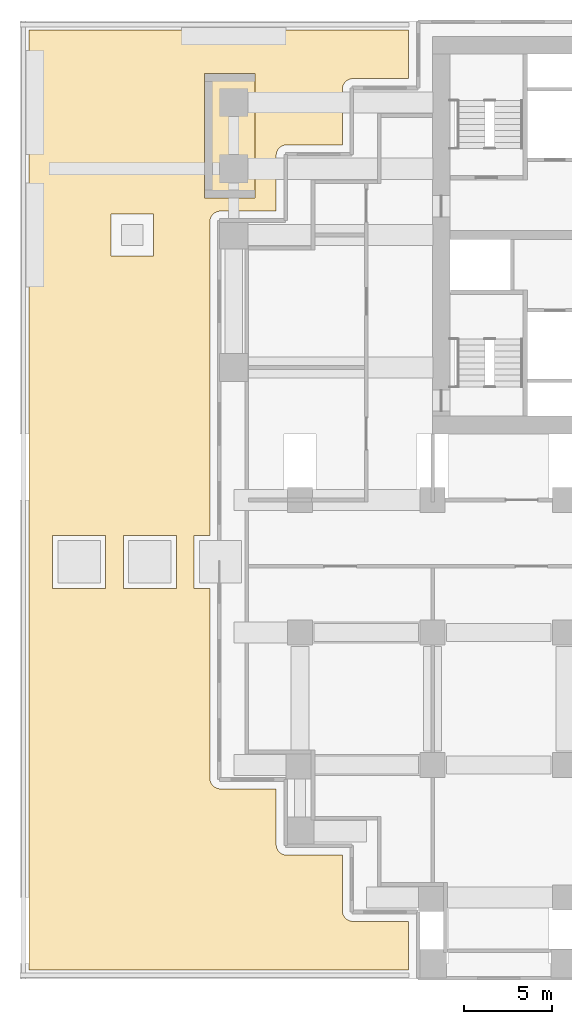
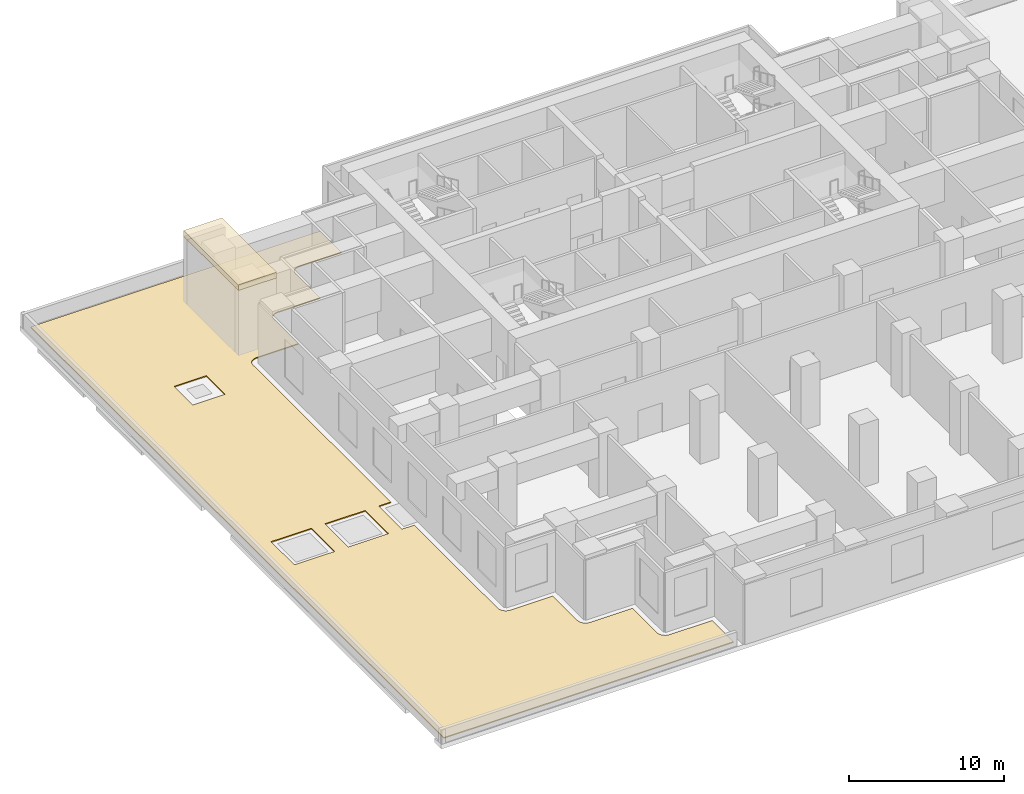
# One storey, part 7 of 9: 2 coverings.
"""IFC4 building model written with IfcOpenShell, lengths in metres."""

from ifc_helpers import new_model, si_unit, direction, frame, origin, place, context, subcontext, project, spatial, polyline, outline, extrude, material, layer, layer_set, type_object, element, save


model = new_model("IFC4")

# Units and contexts
model_context = context("Model", 3, precision=1e-05, world=origin(), true_north=direction((0.0, 1.0)))
body_context = subcontext(model_context, "Body", "Model", "MODEL_VIEW")
ifc_project = project(units=[si_unit("LENGTHUNIT", "METRE"), si_unit("AREAUNIT", "SQUARE_METRE"), si_unit("VOLUMEUNIT", "CUBIC_METRE"), si_unit("PLANEANGLEUNIT", "RADIAN"), si_unit("MASSUNIT", "GRAM", prefix="KILO")], contexts=[model_context])

# Site, building, storey
site_placement = place(None, origin())
site = spatial("IfcSite", under=ifc_project, at=site_placement, CompositionType="ELEMENT")
building_placement = place(site_placement, origin())
building = spatial("IfcBuilding", under=site, at=building_placement, Name="Pilkhan Gate Tower", CompositionType="ELEMENT")
storey_placement = place(building_placement, frame((0.0, 0.0, 30.0)))
storey = spatial("IfcBuildingStorey", under=building, at=storey_placement, Name="L04", CompositionType="ELEMENT", Elevation=30.0)

# Coverings
ifc_material_1 = material(Name="Board-marked Concrete C40/50", Category="concrete")
ifc_layer_1 = layer(ifc_material_1, 0.449951171875)
ifc_layer_set_1 = layer_set([ifc_layer_1], Name="Roof pylon cap SC450")
covering_type_1 = type_object("IfcCoveringType", Name="Roof pylon cap SC450", PredefinedType="CLADDING", material=ifc_layer_set_1)
covering_1_placement = place(storey_placement, frame((0.0, 0.0, 5.199951171875)))
element("IfcCovering", 1, at=covering_1_placement, inside=storey, type_object=covering_type_1, Name="Roof pylon cap west wing", PredefinedType="CLADDING", context=body_context, shape_type="SweptSolid", body=[
    extrude(outline(polyline([(47.10009765625, 84.60009765625), (49.949951171875, 84.60009765625), (49.949951171875, 91.64990234375), (47.10009765625, 91.64990234375), (47.10009765625, 84.60009765625)])), origin(), (0.0, 0.0, 1.0), 0.449951171875),
])
ifc_material_2 = material(Name="Bituminous roofing membrane on rigid insulation")
ifc_layer_2 = layer(ifc_material_2, 0.080078125)
ifc_layer_set_2 = layer_set([ifc_layer_2], Name="Roofing membrane RM80")
covering_type_2 = type_object("IfcCoveringType", Name="Roofing membrane RM80", PredefinedType="ROOFING", material=ifc_layer_set_2)
covering_2_placement = place(storey_placement, origin())
element("IfcCovering", 2, at=covering_2_placement, inside=storey, type_object=covering_type_2, Name="Roofing podium 1", PredefinedType="ROOFING", context=body_context, shape_type="SweptSolid", body=[
    extrude(outline(polyline([(58.64990234375, 94.10009765625), (58.64990234375, 91.35009765625), (55.5, 91.35009765625), (55.441162109375, 91.34716796875), (55.383056640625, 91.33837890625), (55.325927734375, 91.32421875), (55.2705078125, 91.304443359375), (55.217041015625, 91.279052734375), (55.166748046875, 91.248779296875), (55.119384765625, 91.2138671875), (55.07568359375, 91.17431640625), (55.0361328125, 91.130615234375), (55.001220703125, 91.083251953125), (54.970947265625, 91.032958984375), (54.945556640625, 90.9794921875), (54.92578125, 90.924072265625), (54.91162109375, 90.866943359375), (54.90283203125, 90.808837890625), (54.89990234375, 90.75), (54.89990234375, 87.60009765625), (51.75, 87.60009765625), (51.691162109375, 87.59716796875), (51.633056640625, 87.58837890625), (51.575927734375, 87.57421875), (51.5205078125, 87.554443359375), (51.467041015625, 87.529052734375), (51.416748046875, 87.498779296875), (51.369384765625, 87.4638671875), (51.32568359375, 87.42431640625), (51.2861328125, 87.380615234375), (51.251220703125, 87.333251953125), (51.220947265625, 87.282958984375), (51.195556640625, 87.2294921875), (51.17578125, 87.174072265625), (51.16162109375, 87.116943359375), (51.15283203125, 87.058837890625), (51.14990234375, 87.0), (51.14990234375, 83.85009765625), (48.0, 83.85009765625), (47.941162109375, 83.84716796875), (47.883056640625, 83.83837890625), (47.825927734375, 83.82421875), (47.7705078125, 83.804443359375), (47.717041015625, 83.779052734375), (47.666748046875, 83.748779296875), (47.619384765625, 83.7138671875), (47.57568359375, 83.67431640625), (47.5361328125, 83.630615234375), (47.501220703125, 83.583251953125), (47.470947265625, 83.532958984375), (47.445556640625, 83.4794921875), (47.42578125, 83.424072265625), (47.41162109375, 83.366943359375), (47.40283203125, 83.308837890625), (47.39990234375, 83.25), (47.39990234375, 65.5), (46.5, 65.5), (46.5, 62.5), (47.39990234375, 62.5), (47.39990234375, 51.75), (47.40283203125, 51.691162109375), (47.41162109375, 51.633056640625), (47.42578125, 51.575927734375), (47.445556640625, 51.5205078125), (47.470947265625, 51.467041015625), (47.501220703125, 51.416748046875), (47.5361328125, 51.369384765625), (47.57568359375, 51.32568359375), (47.619384765625, 51.2861328125), (47.666748046875, 51.251220703125), (47.717041015625, 51.220947265625), (47.7705078125, 51.195556640625), (47.825927734375, 51.17578125), (47.883056640625, 51.16162109375), (47.941162109375, 51.15283203125), (48.0, 51.14990234375), (51.14990234375, 51.14990234375), (51.14990234375, 48.0), (51.15283203125, 47.941162109375), (51.16162109375, 47.883056640625), (51.17578125, 47.825927734375), (51.195556640625, 47.7705078125), (51.220947265625, 47.717041015625), (51.251220703125, 47.666748046875), (51.2861328125, 47.619384765625), (51.32568359375, 47.57568359375), (51.369384765625, 47.5361328125), (51.416748046875, 47.501220703125), (51.467041015625, 47.470947265625), (51.5205078125, 47.445556640625), (51.575927734375, 47.42578125), (51.633056640625, 47.41162109375), (51.691162109375, 47.40283203125), (51.75, 47.39990234375), (54.89990234375, 47.39990234375), (54.89990234375, 44.25), (54.90283203125, 44.191162109375), (54.91162109375, 44.133056640625), (54.92578125, 44.075927734375), (54.945556640625, 44.0205078125), (54.970947265625, 43.967041015625), (55.001220703125, 43.916748046875), (55.0361328125, 43.869384765625), (55.07568359375, 43.82568359375), (55.119384765625, 43.7861328125), (55.166748046875, 43.751220703125), (55.217041015625, 43.720947265625), (55.2705078125, 43.695556640625), (55.325927734375, 43.67578125), (55.383056640625, 43.66162109375), (55.441162109375, 43.65283203125), (55.5, 43.64990234375), (58.64990234375, 43.64990234375), (58.64990234375, 40.89990234375), (37.14990234375, 40.89990234375), (37.14990234375, 94.10009765625), (58.64990234375, 94.10009765625)]), holes=[polyline([(38.5, 65.5), (38.5, 62.5), (41.5, 62.5), (41.5, 65.5), (38.5, 65.5)]), polyline([(42.5, 65.5), (42.5, 62.5), (45.5, 62.5), (45.5, 65.5), (42.5, 65.5)]), polyline([(41.800048828125, 83.699951171875), (41.800048828125, 81.300048828125), (44.199951171875, 81.300048828125), (44.199951171875, 83.699951171875), (41.800048828125, 83.699951171875)])]), origin(), (0.0, 0.0, 1.0), 0.080078125),
])

save(model, "model.ifc")
